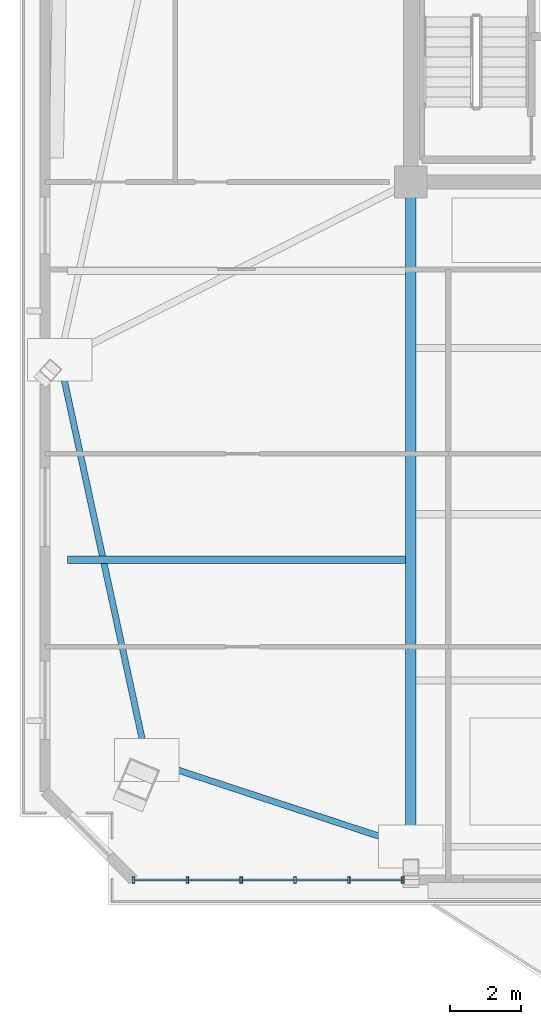
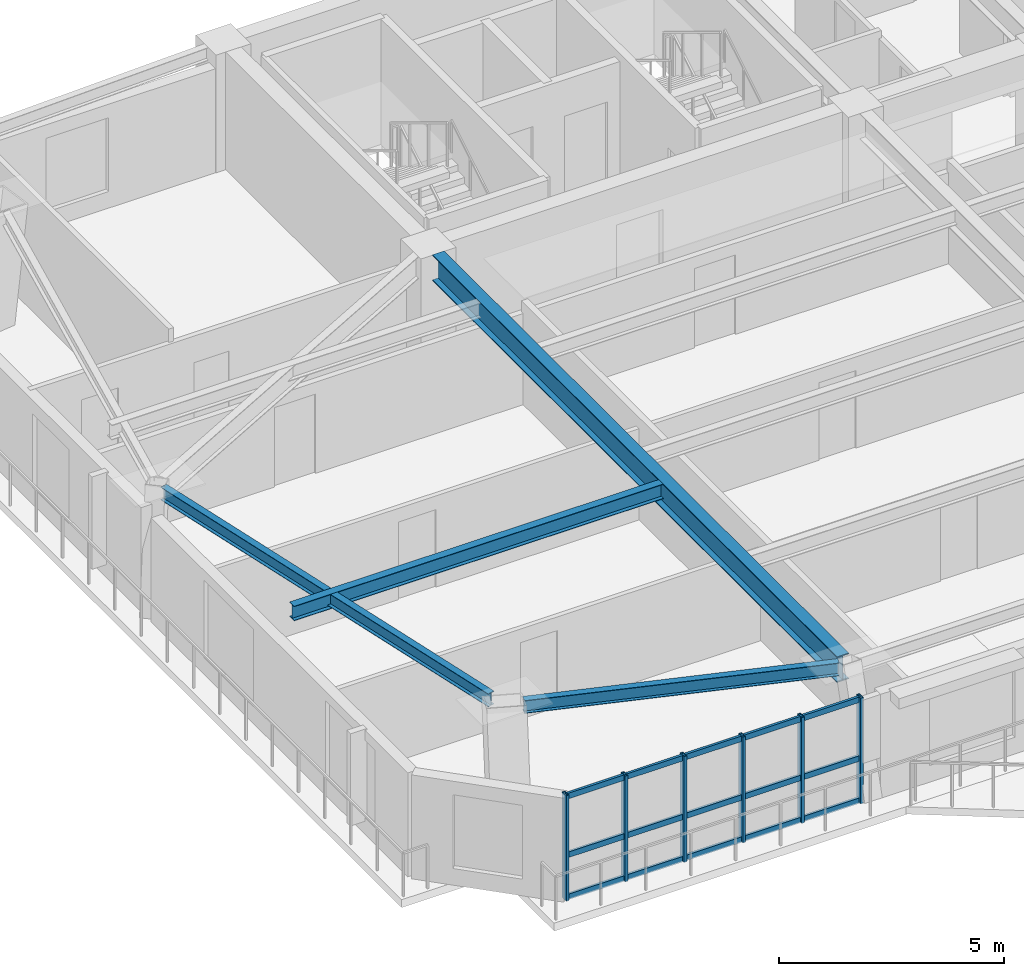
# One storey, part 2 of 15: 9 members, 4 beams, 1 element without a shape of its own.
"""IFC4 building model written with IfcOpenShell, lengths in metres."""

from ifc_helpers import new_model, si_unit, direction, frame, origin, origin_2d, place, context, subcontext, project, spatial, hollow_rectangle, i_section, extrude, source, transform, mapped, material, layer, layer_set, material_profile, profile_set, type_object, element, aggregate, save


model = new_model("IFC4")

# Units and contexts
model_context = context("Model", 3, precision=1e-05, world=origin(), true_north=direction((0.0, 1.0)))
body_context = subcontext(model_context, "Body", "Model", "MODEL_VIEW")
ifc_project = project(units=[si_unit("LENGTHUNIT", "METRE"), si_unit("AREAUNIT", "SQUARE_METRE"), si_unit("VOLUMEUNIT", "CUBIC_METRE"), si_unit("PLANEANGLEUNIT", "RADIAN"), si_unit("MASSUNIT", "GRAM", prefix="KILO")], contexts=[model_context])

# Site, building, storey
site_placement = place(None, origin())
site = spatial("IfcSite", under=ifc_project, at=site_placement, CompositionType="ELEMENT")
building_placement = place(site_placement, origin())
building = spatial("IfcBuilding", under=site, at=building_placement, Name="Giltprow Tower", CompositionType="ELEMENT")
storey_placement = place(building_placement, frame((0.0, 0.0, 290.39990234375)))
storey = spatial("IfcBuildingStorey", under=building, at=storey_placement, Name="L74", CompositionType="ELEMENT", Elevation=290.39990234375)

# Beams
ifc_material_1 = material(Name="Structural steel Q355B", Category="steel")
ifc_material_profile_1 = material_profile(ifc_material_1, i_section(OverallWidth=0.175048828125, OverallDepth=0.35009765625, WebThickness=0.007080078125, FlangeThickness=0.010986328125, at=origin_2d()), Name="HN 350x175x7x11")
ifc_profile_set_1 = profile_set([ifc_material_profile_1], Name="Structural steel Q355B")
beam_type_1 = type_object("IfcBeamType", Name="BM-SPAN-HN350", PredefinedType="SPANDREL", material=ifc_profile_set_1)
shared_shape_1 = source(origin(), body_context, "Body", "SweptSolid", [
    extrude(i_section(OverallWidth=0.175048828125, OverallDepth=0.35009765625, WebThickness=0.007080078125, FlangeThickness=0.010986328125, at=origin_2d()), origin(), (0.0, 0.0, 1.0), 7.139892578125),
])
beam_1_placement = place(storey_placement, frame((12.867919921875, 21.135986328125, 3.010009765625), z_axis=(0.950018565555, -0.312193409766, 0.0), x_axis=(0.312193409766, 0.950018565555, 0.0)))
element("IfcBeam", 1, at=beam_1_placement, inside=storey, type_object=beam_type_1, Name="L74 Perimeter Spandrel Beam MC_SW-S1", PredefinedType="SPANDREL", context=body_context, shape_type="MappedRepresentation", body=[
    mapped(shared_shape_1, transform((0.0, 0.0, 0.0), x_axis=(1.0, 0.0, 0.0), y_axis=(0.0, 1.0, 0.0), z_axis=(0.0, 0.0, 1.0), scale=1.0)),
])
shared_shape_2 = source(origin(), body_context, "Body", "SweptSolid", [
    extrude(i_section(OverallWidth=0.175048828125, OverallDepth=0.35009765625, WebThickness=0.007080078125, FlangeThickness=0.010986328125, at=origin_2d()), origin(), (0.0, 0.0, 1.0), 10.815185546875),
])
beam_2_placement = place(storey_placement, frame((10.069091796875, 32.26611328125, 3.010009765625), z_axis=(0.212104429767, -0.97724700607, 0.0), x_axis=(0.97724700607, 0.212104429767, 0.0)))
element("IfcBeam", 2, at=beam_2_placement, inside=storey, type_object=beam_type_1, Name="L74 Perimeter Spandrel Beam W_MID-MC_SW", PredefinedType="SPANDREL", context=body_context, shape_type="MappedRepresentation", body=[
    mapped(shared_shape_2, transform((0.0, 0.0, 0.0), x_axis=(1.0, 0.0, 0.0), y_axis=(0.0, 1.0, 0.0), z_axis=(0.0, 0.0, 1.0), scale=1.0)),
])
ifc_material_profile_2 = material_profile(ifc_material_1, i_section(OverallWidth=0.300048828125, OverallDepth=0.699951171875, WebThickness=0.012939453125, FlangeThickness=0.02392578125, at=origin_2d()), Name="HN 700x300x13x24")
ifc_profile_set_2 = profile_set([ifc_material_profile_2], Name="Structural steel Q355B")
beam_type_2 = type_object("IfcBeamType", Name="BM-GIRD-HN700", PredefinedType="BEAM", material=ifc_profile_set_2)
shared_shape_3 = source(origin(), body_context, "Body", "SweptSolid", [
    extrude(i_section(OverallWidth=0.300048828125, OverallDepth=0.699951171875, WebThickness=0.012939453125, FlangeThickness=0.02392578125, at=origin_2d()), origin(), (0.0, 0.0, 1.0), 17.9638671875),
])
beam_3_placement = place(storey_placement, frame((19.85009765625, 19.051025390625, 2.835205078125), z_axis=(0.0, 1.0, 0.0), x_axis=(-1.0, 0.0, 0.0)))
element("IfcBeam", 3, at=beam_3_placement, inside=storey, type_object=beam_type_2, Name="L74 Primary Lease Girder S1", PredefinedType="BEAM", context=body_context, shape_type="MappedRepresentation", body=[
    mapped(shared_shape_3, transform((0.0, 0.0, 0.0), x_axis=(1.0, 0.0, 0.0), y_axis=(0.0, 1.0, 0.0), z_axis=(0.0, 0.0, 1.0), scale=1.0)),
])
ifc_material_profile_3 = material_profile(ifc_material_1, i_section(OverallWidth=0.199951171875, OverallDepth=0.39990234375, WebThickness=0.008056640625, FlangeThickness=0.012939453125, at=origin_2d()), Name="HN 400x200x8x13")
ifc_profile_set_3 = profile_set([ifc_material_profile_3], Name="Structural steel Q355B")
beam_type_3 = type_object("IfcBeamType", Name="BM-JOIST-HN400", PredefinedType="JOIST", material=ifc_profile_set_3)
shared_shape_4 = source(origin(), body_context, "Body", "SweptSolid", [
    extrude(i_section(OverallWidth=0.199951171875, OverallDepth=0.39990234375, WebThickness=0.008056640625, FlangeThickness=0.012939453125, at=origin_2d()), origin(), (0.0, 0.0, 1.0), 9.461181640625),
])
beam_4_placement = place(storey_placement, frame((10.243896484375, 26.87109375, 2.985107421875), z_axis=(1.0, 0.0, 0.0), x_axis=(0.0, 1.0, 0.0)))
element("IfcBeam", 4, at=beam_4_placement, inside=storey, type_object=beam_type_3, Name="L74 West Wing Floor Joist 1", PredefinedType="JOIST", context=body_context, shape_type="MappedRepresentation", body=[
    mapped(shared_shape_4, transform((0.0, 0.0, 0.0), x_axis=(1.0, 0.0, 0.0), y_axis=(0.0, 1.0, 0.0), z_axis=(0.0, 0.0, 1.0), scale=1.0)),
])

# Curtain wall, members
ifc_material_2 = material(Name="Anodized bronze", Category="metal")
ifc_layer = layer(ifc_material_2, 0.179931640625, Name="Anodized bronze")
ifc_layer_set = layer_set([ifc_layer], Name="Anodized bronze")
curtain_wall_type = type_object("IfcCurtainWallType", Name="CW-RES-SKY", PredefinedType="NOTDEFINED", material=ifc_layer_set)
curtain_wall_placement = place(storey_placement, origin())
curtain_wall = element("IfcCurtainWall", 5, at=curtain_wall_placement, inside=storey, type_object=curtain_wall_type, Name="L74 South Recessed Curtain Wall 1", PredefinedType="NOTDEFINED")
ifc_material_profile_4 = material_profile(ifc_material_2, hollow_rectangle(XDim=0.074951171875, YDim=0.179931640625, WallThickness=0.008056640625, at=origin_2d()), Name="RHS 180x75x8")
ifc_profile_set_4 = profile_set([ifc_material_profile_4], Name="Anodized bronze")
member_type_1 = type_object("IfcMemberType", Name="CW-MULLION-180x75", PredefinedType="MULLION", material=ifc_profile_set_4)
shared_shape_5 = source(origin(), body_context, "Body", "SweptSolid", [
    extrude(hollow_rectangle(XDim=0.074951171875, YDim=0.179931640625, WallThickness=0.008056640625, at=origin_2d()), origin(), (0.0, 0.0, 1.0), 2.8701171875),
])
member_1_placement = place(storey_placement, frame((12.0859375, 17.907958984375, -0.02001953125), z_axis=(0.0, 0.0, 1.0), x_axis=(1.0, 0.0, 0.0)))
member_1 = element("IfcMember", 6, at=member_1_placement, type_object=member_type_1, Name="L74 South Recessed Curtain Wall 1 Mullion 1", PredefinedType="MULLION", context=body_context, shape_type="MappedRepresentation", body=[
    mapped(shared_shape_5, transform((0.0, 0.0, 0.0), x_axis=(1.0, 0.0, 0.0), y_axis=(0.0, 1.0, 0.0), z_axis=(0.0, 0.0, 1.0), scale=1.0)),
])
member_2_placement = place(storey_placement, frame((13.593994140625, 17.907958984375, -0.02001953125), z_axis=(0.0, 0.0, 1.0), x_axis=(1.0, 0.0, 0.0)))
member_2 = element("IfcMember", 7, at=member_2_placement, type_object=member_type_1, Name="L74 South Recessed Curtain Wall 1 Mullion 2", PredefinedType="MULLION", context=body_context, shape_type="MappedRepresentation", body=[
    mapped(shared_shape_5, transform((0.0, 0.0, 0.0), x_axis=(1.0, 0.0, 0.0), y_axis=(0.0, 1.0, 0.0), z_axis=(0.0, 0.0, 1.0), scale=1.0)),
])
member_3_placement = place(storey_placement, frame((15.10205078125, 17.907958984375, -0.02001953125), z_axis=(0.0, 0.0, 1.0), x_axis=(1.0, 0.0, 0.0)))
member_3 = element("IfcMember", 8, at=member_3_placement, type_object=member_type_1, Name="L74 South Recessed Curtain Wall 1 Mullion 3", PredefinedType="MULLION", context=body_context, shape_type="MappedRepresentation", body=[
    mapped(shared_shape_5, transform((0.0, 0.0, 0.0), x_axis=(1.0, 0.0, 0.0), y_axis=(0.0, 1.0, 0.0), z_axis=(0.0, 0.0, 1.0), scale=1.0)),
])
member_4_placement = place(storey_placement, frame((16.60888671875, 17.907958984375, -0.02001953125), z_axis=(0.0, 0.0, 1.0), x_axis=(1.0, 0.0, 0.0)))
member_4 = element("IfcMember", 9, at=member_4_placement, type_object=member_type_1, Name="L74 South Recessed Curtain Wall 1 Mullion 4", PredefinedType="MULLION", context=body_context, shape_type="MappedRepresentation", body=[
    mapped(shared_shape_5, transform((0.0, 0.0, 0.0), x_axis=(1.0, 0.0, 0.0), y_axis=(0.0, 1.0, 0.0), z_axis=(0.0, 0.0, 1.0), scale=1.0)),
])
member_5_placement = place(storey_placement, frame((18.116943359375, 17.907958984375, -0.02001953125), z_axis=(0.0, 0.0, 1.0), x_axis=(1.0, 0.0, 0.0)))
member_5 = element("IfcMember", 10, at=member_5_placement, type_object=member_type_1, Name="L74 South Recessed Curtain Wall 1 Mullion 5", PredefinedType="MULLION", context=body_context, shape_type="MappedRepresentation", body=[
    mapped(shared_shape_5, transform((0.0, 0.0, 0.0), x_axis=(1.0, 0.0, 0.0), y_axis=(0.0, 1.0, 0.0), z_axis=(0.0, 0.0, 1.0), scale=1.0)),
])
member_6_placement = place(storey_placement, frame((19.625, 17.907958984375, -0.02001953125), z_axis=(0.0, 0.0, 1.0), x_axis=(1.0, 0.0, 0.0)))
member_6 = element("IfcMember", 11, at=member_6_placement, type_object=member_type_1, Name="L74 South Recessed Curtain Wall 1 Mullion 6", PredefinedType="MULLION", context=body_context, shape_type="MappedRepresentation", body=[
    mapped(shared_shape_5, transform((0.0, 0.0, 0.0), x_axis=(1.0, 0.0, 0.0), y_axis=(0.0, 1.0, 0.0), z_axis=(0.0, 0.0, 1.0), scale=1.0)),
])
ifc_material_profile_5 = material_profile(ifc_material_2, hollow_rectangle(XDim=0.06494140625, YDim=0.14990234375, WallThickness=0.006103515625, at=origin_2d()), Name="RHS 150x65x6")
ifc_profile_set_5 = profile_set([ifc_material_profile_5], Name="Anodized bronze")
member_type_2 = type_object("IfcMemberType", Name="CW-TRANSOM-150x65", PredefinedType="USERDEFINED", material=ifc_profile_set_5)
shared_shape_6 = source(origin(), body_context, "Body", "SweptSolid", [
    extrude(hollow_rectangle(XDim=0.06494140625, YDim=0.14990234375, WallThickness=0.006103515625, at=origin_2d()), origin(), (0.0, 0.0, 1.0), 7.5390625),
])
member_7_placement = place(storey_placement, frame((12.0859375, 17.907958984375, 0.0400390625), z_axis=(1.0, 0.0, 0.0), x_axis=(0.0, 1.0, 0.0)))
member_7 = element("IfcMember", 12, at=member_7_placement, type_object=member_type_2, Name="L74 South Recessed Curtain Wall 1 Transom 1", ObjectType="TRANSOM", PredefinedType="USERDEFINED", context=body_context, shape_type="MappedRepresentation", body=[
    mapped(shared_shape_6, transform((0.0, 0.0, 0.0), x_axis=(1.0, 0.0, 0.0), y_axis=(0.0, 1.0, 0.0), z_axis=(0.0, 0.0, 1.0), scale=1.0)),
])
member_8_placement = place(storey_placement, frame((12.0859375, 17.907958984375, 1.18212890625), z_axis=(1.0, 0.0, 0.0), x_axis=(0.0, 1.0, 0.0)))
member_8 = element("IfcMember", 13, at=member_8_placement, type_object=member_type_2, Name="L74 South Recessed Curtain Wall 1 Transom 2", ObjectType="TRANSOM", PredefinedType="USERDEFINED", context=body_context, shape_type="MappedRepresentation", body=[
    mapped(shared_shape_6, transform((0.0, 0.0, 0.0), x_axis=(1.0, 0.0, 0.0), y_axis=(0.0, 1.0, 0.0), z_axis=(0.0, 0.0, 1.0), scale=1.0)),
])
member_9_placement = place(storey_placement, frame((12.0859375, 17.907958984375, 2.775146484375), z_axis=(1.0, 0.0, 0.0), x_axis=(0.0, 1.0, 0.0)))
member_9 = element("IfcMember", 14, at=member_9_placement, type_object=member_type_2, Name="L74 South Recessed Curtain Wall 1 Transom 3", ObjectType="TRANSOM", PredefinedType="USERDEFINED", context=body_context, shape_type="MappedRepresentation", body=[
    mapped(shared_shape_6, transform((0.0, 0.0, 0.0), x_axis=(1.0, 0.0, 0.0), y_axis=(0.0, 1.0, 0.0), z_axis=(0.0, 0.0, 1.0), scale=1.0)),
])
aggregate(curtain_wall, [member_1, member_2, member_3, member_4, member_5, member_6, member_7, member_8, member_9])

save(model, "model.ifc")
